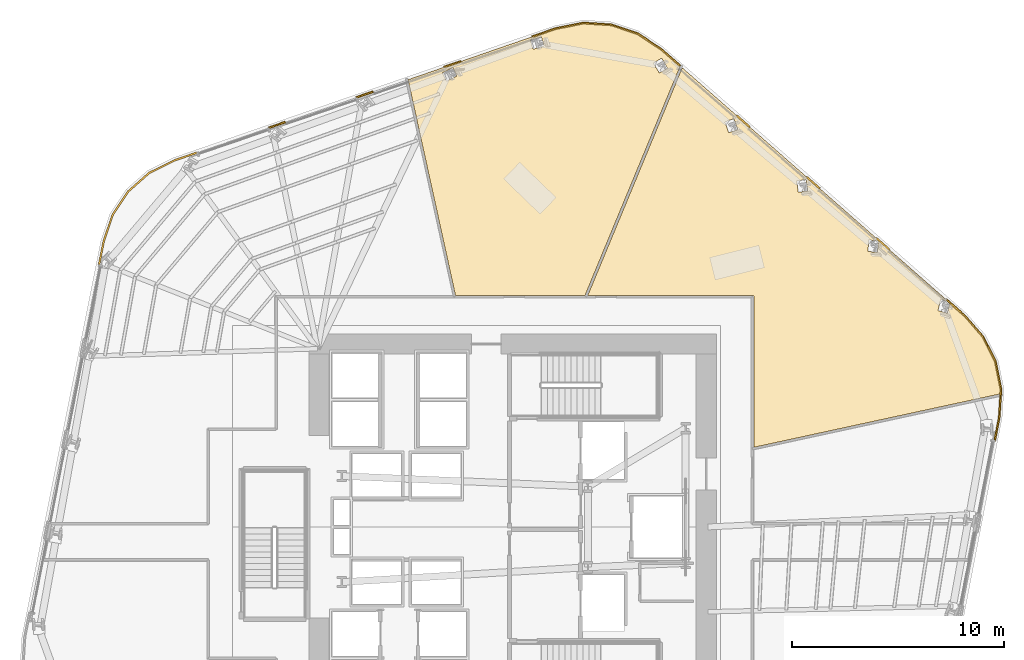
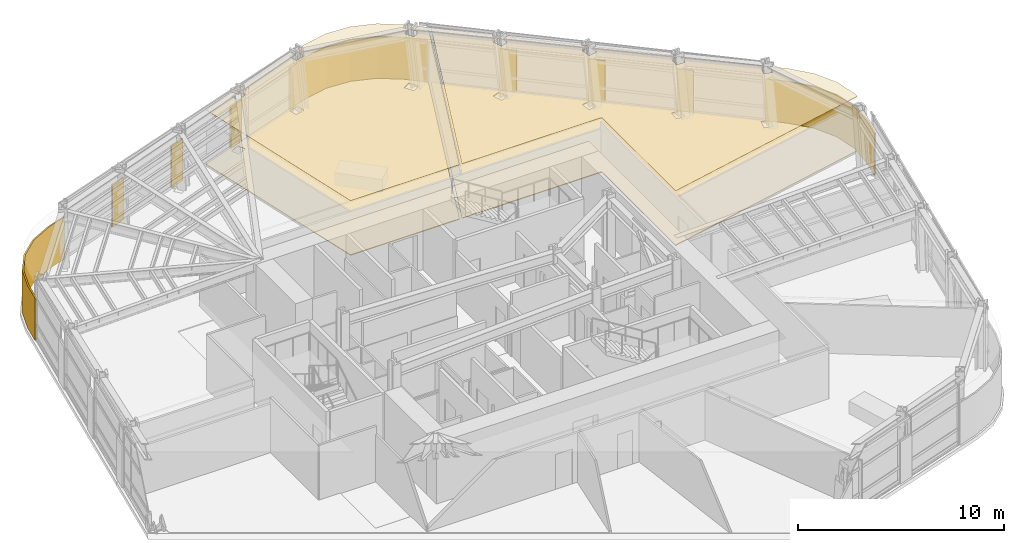
# One storey, part 15 of 16: 13 coverings.
"""IFC4 building model written with IfcOpenShell, lengths in metres."""

from ifc_helpers import new_model, si_unit, direction, frame, origin, place, context, subcontext, project, spatial, polyline, outline, extrude, material, layer, layer_set, type_object, element, save


model = new_model("IFC4")

# Units and contexts
model_context = context("Model", 3, precision=1e-05, world=origin(), true_north=direction((0.0, 1.0)))
body_context = subcontext(model_context, "Body", "Model", "MODEL_VIEW")
ifc_project = project(units=[si_unit("LENGTHUNIT", "METRE"), si_unit("AREAUNIT", "SQUARE_METRE"), si_unit("VOLUMEUNIT", "CUBIC_METRE"), si_unit("PLANEANGLEUNIT", "RADIAN"), si_unit("MASSUNIT", "GRAM", prefix="KILO")], contexts=[model_context])

# Site, building, storey
site_placement = place(None, origin())
site = spatial("IfcSite", under=ifc_project, at=site_placement, CompositionType="ELEMENT")
building_placement = place(site_placement, origin())
building = spatial("IfcBuilding", under=site, at=building_placement, Name="Valkerne Bourse Tower", CompositionType="ELEMENT")
storey_placement = place(building_placement, frame((0.0, 0.0, 104.800048828125)))
storey = spatial("IfcBuildingStorey", under=building, at=storey_placement, Name="L26", CompositionType="ELEMENT", Elevation=104.800048828125)

# Coverings
ifc_material_1 = material(Name="Mineral Fiber Acoustic Ceiling Tile", Category="acoustic")
ifc_layer_1 = layer(ifc_material_1, 0.02490234375)
ifc_layer_set_1 = layer_set([ifc_layer_1], Name="Mineral Fiber Acoustic Ceiling Tile")
covering_type_1 = type_object("IfcCoveringType", Name="COV-CEIL-ACT", PredefinedType="CEILING", material=ifc_layer_set_1)
covering_1_placement = place(storey_placement, frame((0.0, 0.0, 3.22998046875)))
element("IfcCovering", 1, at=covering_1_placement, inside=storey, type_object=covering_type_1, Name="L26 Suspended Ceiling 06", PredefinedType="CEILING", context=body_context, shape_type="SweptSolid", body=[
    extrude(outline(polyline([(51.443603515625, 50.669189453125), (52.6943359375, 50.248291015625), (53.80126953125, 49.5126953125), (54.697509765625, 48.725830078125), (50.2119140625, 37.9189453125), (44.101806640625, 37.9189453125), (41.8671875, 48.08251953125), (48.82421875, 50.4892578125), (50.126708984375, 50.751953125), (51.443603515625, 50.669189453125)]), holes=[polyline([(44.171142578125, 48.251220703125), (43.970947265625, 48.65380859375), (43.9677734375, 48.653564453125), (43.487548828125, 48.4130859375), (43.687744140625, 48.010498046875), (43.69091796875, 48.010986328125), (44.171142578125, 48.251220703125)]), polyline([(53.822265625, 49.0947265625), (53.819091796875, 49.095703125), (53.433837890625, 48.86474609375), (53.708251953125, 48.402587890625), (53.71142578125, 48.401611328125), (54.0966796875, 48.632568359375), (53.822265625, 49.0947265625)]), polyline([(48.156005859375, 50.0966796875), (48.152587890625, 50.096923828125), (47.635986328125, 49.951416015625), (47.757080078125, 49.51806640625), (47.760498046875, 49.517822265625), (48.277099609375, 49.66357421875), (48.156005859375, 50.0966796875)])]), origin(), (0.0, 0.0, 1.0), 0.02490234375),
])
covering_2_placement = place(storey_placement, frame((0.0, 0.0, 3.22998046875)))
element("IfcCovering", 2, at=covering_2_placement, inside=storey, type_object=covering_type_1, Name="L26 Suspended Ceiling 08", PredefinedType="CEILING", context=body_context, shape_type="SweptSolid", body=[
    extrude(outline(polyline([(69.5537109375, 34.790283203125), (69.814453125, 33.496826171875), (69.800537109375, 33.27490234375), (58.1689453125, 30.754150390625), (58.1689453125, 37.850341796875), (58.16259765625, 37.87890625), (58.146484375, 37.901123046875), (58.100830078125, 37.9189453125), (50.339599609375, 37.9189453125), (54.791015625, 48.643798828125), (67.33740234375, 37.628173828125), (66.978759765625, 37.718994140625), (66.844482421875, 37.198486328125), (66.84619140625, 37.195556640625), (67.281494140625, 37.085205078125), (67.406005859375, 37.568115234375), (68.087890625, 36.969482421875), (68.966796875, 35.972412109375), (69.5537109375, 34.790283203125)]), holes=[polyline([(64.031005859375, 40.49267578125), (64.029052734375, 40.4951171875), (63.58056640625, 40.521484375), (63.546875, 39.985107421875), (63.548583984375, 39.982421875), (63.997314453125, 39.9560546875), (64.031005859375, 40.49267578125)]), polyline([(60.633056640625, 43.373291015625), (60.630615234375, 43.375244140625), (60.186279296875, 43.309814453125), (60.26220703125, 42.777587890625), (60.2646484375, 42.775634765625), (60.708984375, 42.8408203125), (60.633056640625, 43.373291015625)]), polyline([(57.41015625, 45.735595703125), (57.227294921875, 46.2412109375), (57.224609375, 46.242919921875), (56.802734375, 46.08837890625), (56.985595703125, 45.582763671875), (56.98828125, 45.581298828125), (57.41015625, 45.735595703125)])]), origin(), (0.0, 0.0, 1.0), 0.02490234375),
])
ifc_material_2 = material(Name="Bronze Anodised Aluminium AA 6063-T6", Category="aluminium")
ifc_layer_2 = layer(ifc_material_2, 0.06005859375)
ifc_layer_set_2 = layer_set([ifc_layer_2], Name="Bronze Anodised Aluminium AA 6063-T6")
covering_type_2 = type_object("IfcCoveringType", Name="COV-CRN-ALUM", PredefinedType="CLADDING", material=ifc_layer_set_2)
covering_3_placement = place(storey_placement, origin())
element("IfcCovering", 3, at=covering_3_placement, inside=storey, type_object=covering_type_2, Name="L26 Wind-Shaped Corner Aluminium Cladding 13", PredefinedType="CLADDING", context=body_context, shape_type="SweptSolid", body=[
    extrude(outline(polyline([(27.479736328125, 40.46240234375), (27.906494140625, 41.73046875), (28.64306640625, 42.83935546875), (29.6416015625, 43.719482421875), (30.840087890625, 44.314453125), (31.922119140625, 44.688720703125), (31.947998046875, 44.613037109375), (30.87109375, 44.240478515625), (29.686767578125, 43.652587890625), (28.703857421875, 42.786376953125), (27.97900390625, 41.695068359375), (27.55712890625, 40.44189453125), (27.334228515625, 39.32421875), (27.255615234375, 39.339599609375), (27.479736328125, 40.46240234375)])), origin(), (0.0, 0.0, 1.0), 2.5),
])
covering_4_placement = place(storey_placement, origin())
element("IfcCovering", 4, at=covering_4_placement, inside=storey, type_object=covering_type_2, Name="L26 Wind-Shaped Corner Aluminium Cladding 14", PredefinedType="CLADDING", context=body_context, shape_type="SweptSolid", body=[
    extrude(outline(polyline([(36.064208984375, 46.12158203125), (36.090087890625, 46.0458984375), (35.29638671875, 45.771484375), (35.2705078125, 45.84716796875), (36.064208984375, 46.12158203125)])), origin(), (0.0, 0.0, 1.0), 2.5),
])
covering_5_placement = place(storey_placement, origin())
element("IfcCovering", 5, at=covering_5_placement, inside=storey, type_object=covering_type_2, Name="L26 Wind-Shaped Corner Aluminium Cladding 15", PredefinedType="CLADDING", context=body_context, shape_type="SweptSolid", body=[
    extrude(outline(polyline([(40.20654296875, 47.5546875), (40.232421875, 47.47900390625), (39.4384765625, 47.204345703125), (39.41259765625, 47.280029296875), (40.20654296875, 47.5546875)])), origin(), (0.0, 0.0, 1.0), 2.5),
])
covering_6_placement = place(storey_placement, origin())
element("IfcCovering", 6, at=covering_6_placement, inside=storey, type_object=covering_type_2, Name="L26 Wind-Shaped Corner Aluminium Cladding 16", PredefinedType="CLADDING", context=body_context, shape_type="SweptSolid", body=[
    extrude(outline(polyline([(44.3486328125, 48.987548828125), (44.37451171875, 48.911865234375), (43.580810546875, 48.63720703125), (43.5546875, 48.712890625), (44.3486328125, 48.987548828125)])), origin(), (0.0, 0.0, 1.0), 2.5),
])
covering_7_placement = place(storey_placement, origin())
element("IfcCovering", 7, at=covering_7_placement, inside=storey, type_object=covering_type_2, Name="L26 Wind-Shaped Corner Aluminium Cladding 17", PredefinedType="CLADDING", context=body_context, shape_type="SweptSolid", body=[
    extrude(outline(polyline([(48.8125, 50.53173828125), (50.123779296875, 50.796142578125), (51.452392578125, 50.712646484375), (52.7138671875, 50.2880859375), (53.827880859375, 49.5478515625), (54.715087890625, 48.76904296875), (54.662353515625, 48.708740234375), (53.779296875, 49.484130859375), (52.67822265625, 50.215576171875), (51.436767578125, 50.63330078125), (50.129150390625, 50.7158203125), (48.83349609375, 50.454345703125), (47.722900390625, 50.0703125), (47.697021484375, 50.14599609375), (48.8125, 50.53173828125)])), origin(), (0.0, 0.0, 1.0), 2.5),
])
covering_8_placement = place(storey_placement, origin())
element("IfcCovering", 8, at=covering_8_placement, inside=storey, type_object=covering_type_2, Name="L26 Wind-Shaped Corner Aluminium Cladding 18", PredefinedType="CLADDING", context=body_context, shape_type="SweptSolid", body=[
    extrude(outline(polyline([(58.0087890625, 45.877197265625), (57.9560546875, 45.81689453125), (57.324951171875, 46.37109375), (57.37744140625, 46.431396484375), (58.0087890625, 45.877197265625)])), origin(), (0.0, 0.0, 1.0), 2.5),
])
covering_9_placement = place(storey_placement, origin())
element("IfcCovering", 9, at=covering_9_placement, inside=storey, type_object=covering_type_2, Name="L26 Wind-Shaped Corner Aluminium Cladding 19", PredefinedType="CLADDING", context=body_context, shape_type="SweptSolid", body=[
    extrude(outline(polyline([(61.302490234375, 42.985595703125), (61.249755859375, 42.92529296875), (60.618408203125, 43.4794921875), (60.671142578125, 43.539794921875), (61.302490234375, 42.985595703125)])), origin(), (0.0, 0.0, 1.0), 2.5),
])
covering_10_placement = place(storey_placement, origin())
element("IfcCovering", 10, at=covering_10_placement, inside=storey, type_object=covering_type_2, Name="L26 Wind-Shaped Corner Aluminium Cladding 20", PredefinedType="CLADDING", context=body_context, shape_type="SweptSolid", body=[
    extrude(outline(polyline([(64.595947265625, 40.09375), (64.54345703125, 40.033447265625), (63.912109375, 40.587646484375), (63.96484375, 40.64794921875), (64.595947265625, 40.09375)])), origin(), (0.0, 0.0, 1.0), 2.5),
])
covering_11_placement = place(storey_placement, origin())
element("IfcCovering", 11, at=covering_11_placement, inside=storey, type_object=covering_type_2, Name="L26 Wind-Shaped Corner Aluminium Cladding 21", PredefinedType="CLADDING", context=body_context, shape_type="SweptSolid", body=[
    extrude(outline(polyline([(68.118896484375, 37.00048828125), (69.00390625, 35.9970703125), (69.595703125, 34.8046875), (69.85888671875, 33.499755859375), (69.774658203125, 32.16455078125), (69.557861328125, 31.040283203125), (69.479248046875, 31.0556640625), (69.6953125, 32.1748046875), (69.7783203125, 33.494384765625), (69.519287109375, 34.778564453125), (68.936767578125, 35.951904296875), (68.0625, 36.94384765625), (67.205810546875, 37.69580078125), (67.258544921875, 37.756103515625), (68.118896484375, 37.00048828125)])), origin(), (0.0, 0.0, 1.0), 2.5),
])
ifc_material_3 = material(Name="Galvanised Painted Steel", Category="steel")
ifc_layer_3 = layer(ifc_material_3, 0.044921875)
ifc_layer_set_3 = layer_set([ifc_layer_3], Name="Galvanised Painted Steel")
covering_type_3 = type_object("IfcCoveringType", Name="COV-FLR-RAF", PredefinedType="FLOORING", material=ifc_layer_set_3)
covering_12_placement = place(storey_placement, origin())
element("IfcCovering", 12, at=covering_12_placement, inside=storey, type_object=covering_type_3, Name="L26 Floor Finish 06", PredefinedType="FLOORING", context=body_context, shape_type="SweptSolid", body=[
    extrude(outline(polyline([(51.443603515625, 50.669189453125), (52.6943359375, 50.248291015625), (53.80126953125, 49.5126953125), (54.697509765625, 48.725830078125), (50.2119140625, 37.9189453125), (44.101806640625, 37.9189453125), (41.8671875, 48.08251953125), (48.82421875, 50.4892578125), (50.126708984375, 50.751953125), (51.443603515625, 50.669189453125)]), holes=[polyline([(44.171142578125, 48.251220703125), (43.970947265625, 48.65380859375), (43.9677734375, 48.653564453125), (43.487548828125, 48.4130859375), (43.687744140625, 48.010498046875), (43.69091796875, 48.010986328125), (44.171142578125, 48.251220703125)]), polyline([(53.822265625, 49.0947265625), (53.819091796875, 49.095703125), (53.433837890625, 48.86474609375), (53.708251953125, 48.402587890625), (53.71142578125, 48.401611328125), (54.0966796875, 48.632568359375), (53.822265625, 49.0947265625)]), polyline([(48.156005859375, 50.0966796875), (48.152587890625, 50.096923828125), (47.635986328125, 49.951416015625), (47.757080078125, 49.51806640625), (47.760498046875, 49.517822265625), (48.277099609375, 49.66357421875), (48.156005859375, 50.0966796875)])]), origin(), (0.0, 0.0, 1.0), 0.044921875),
])
covering_13_placement = place(storey_placement, origin())
element("IfcCovering", 13, at=covering_13_placement, inside=storey, type_object=covering_type_3, Name="L26 Floor Finish 08", PredefinedType="FLOORING", context=body_context, shape_type="SweptSolid", body=[
    extrude(outline(polyline([(69.5537109375, 34.790283203125), (69.814453125, 33.496826171875), (69.800537109375, 33.27490234375), (58.1689453125, 30.754150390625), (58.1689453125, 37.850341796875), (58.16259765625, 37.87890625), (58.146484375, 37.901123046875), (58.100830078125, 37.9189453125), (50.339599609375, 37.9189453125), (54.791015625, 48.643798828125), (67.33740234375, 37.628173828125), (66.978759765625, 37.718994140625), (66.844482421875, 37.198486328125), (66.84619140625, 37.195556640625), (67.281494140625, 37.085205078125), (67.406005859375, 37.568115234375), (68.087890625, 36.969482421875), (68.966796875, 35.972412109375), (69.5537109375, 34.790283203125)]), holes=[polyline([(64.031005859375, 40.49267578125), (64.029052734375, 40.4951171875), (63.58056640625, 40.521484375), (63.546875, 39.985107421875), (63.548583984375, 39.982421875), (63.997314453125, 39.9560546875), (64.031005859375, 40.49267578125)]), polyline([(60.633056640625, 43.373291015625), (60.630615234375, 43.375244140625), (60.186279296875, 43.309814453125), (60.26220703125, 42.777587890625), (60.2646484375, 42.775634765625), (60.708984375, 42.8408203125), (60.633056640625, 43.373291015625)]), polyline([(57.41015625, 45.735595703125), (57.227294921875, 46.2412109375), (57.224609375, 46.242919921875), (56.802734375, 46.08837890625), (56.985595703125, 45.582763671875), (56.98828125, 45.581298828125), (57.41015625, 45.735595703125)])]), origin(), (0.0, 0.0, 1.0), 0.044921875),
])

save(model, "model.ifc")
